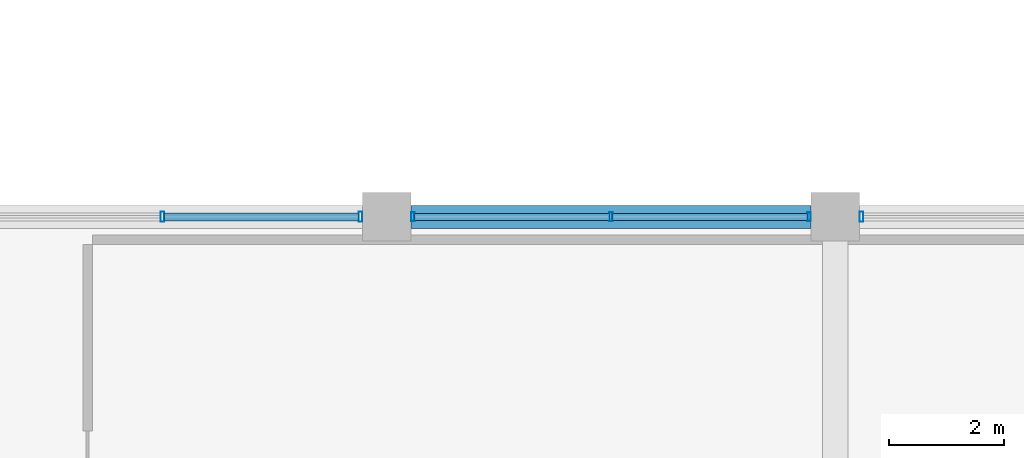
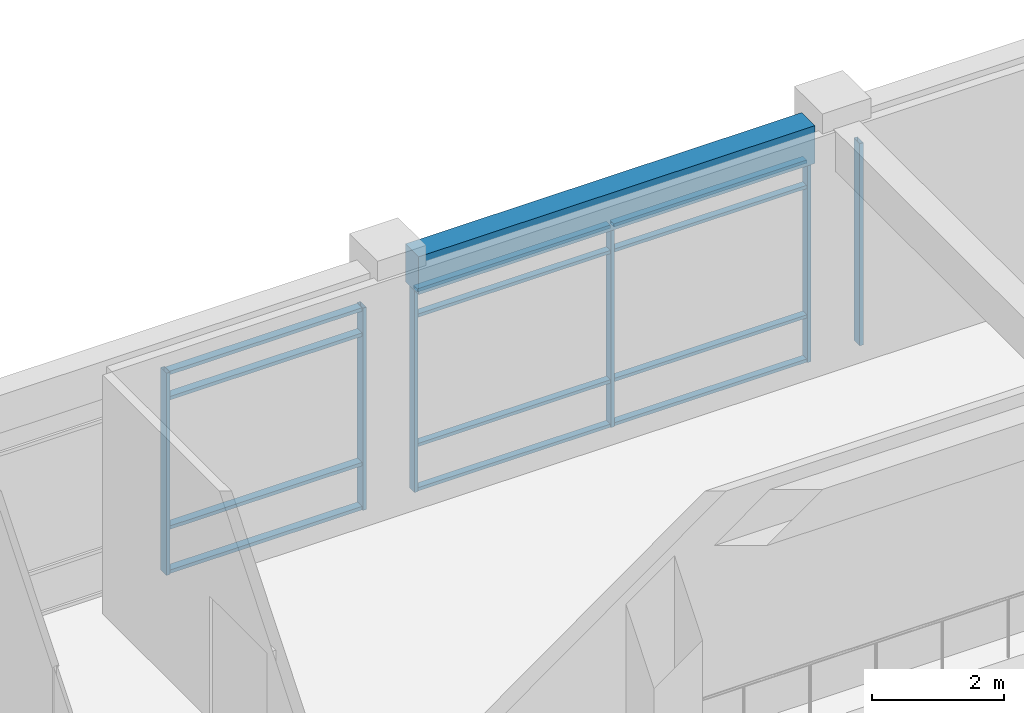
# One storey, part 15 of 79: 18 members, 1 beam, 3 elements without a shape of their own.
"""IFC4 building model written with IfcOpenShell, lengths in metres."""

from ifc_helpers import new_model, si_unit, direction, frame, origin, origin_2d, place, context, subcontext, project, spatial, rectangle, hollow_rectangle, extrude, material, material_profile, profile_set, type_object, element, aggregate, save


model = new_model("IFC4")

# Units and contexts
model_context = context("Model", 3, precision=1e-05, world=origin(), true_north=direction((0.0, 1.0)))
body_context = subcontext(model_context, "Body", "Model", "MODEL_VIEW")
ifc_project = project(units=[si_unit("LENGTHUNIT", "METRE"), si_unit("AREAUNIT", "SQUARE_METRE"), si_unit("VOLUMEUNIT", "CUBIC_METRE"), si_unit("PLANEANGLEUNIT", "RADIAN"), si_unit("MASSUNIT", "GRAM", prefix="KILO"), si_unit("THERMODYNAMICTEMPERATUREUNIT", "KELVIN"), si_unit("POWERUNIT", "WATT")], contexts=[model_context])

# Site, building, storey
site_placement = place(None, origin())
site = spatial("IfcSite", under=ifc_project, at=site_placement, CompositionType="ELEMENT")
building_placement = place(site_placement, origin())
building = spatial("IfcBuilding", under=site, at=building_placement, Name="Srebrne Nadtorze General Hospital", CompositionType="ELEMENT")
storey_placement = place(building_placement, frame((0.0, 0.0, 4.800048828125)))
storey = spatial("IfcBuildingStorey", under=building, at=storey_placement, Name="L01", CompositionType="ELEMENT", Elevation=4.800048828125)

# Curtain wall, members
ifc_material_1 = material(Name="Anodised Aluminium", Category="aluminium")
curtain_wall_type = type_object("IfcCurtainWallType", Name="Unitised curtain wall 6950x3750", PredefinedType="NOTDEFINED", material=ifc_material_1)
curtain_wall_1_placement = place(storey_placement, origin())
curtain_wall_1 = element("IfcCurtainWall", 1, at=curtain_wall_1_placement, inside=storey, type_object=curtain_wall_type, Name="Curtain wall CW-044", PredefinedType="NOTDEFINED")
ifc_material_2 = material(Name="Anodised Aluminium", Category="aluminium")
ifc_material_profile_1 = material_profile(ifc_material_2, hollow_rectangle(XDim=0.06005859375, YDim=0.14990234375, WallThickness=0.00390625, at=origin_2d()), Name="AL-MUL-60x150")
ifc_profile_set_1 = profile_set([ifc_material_profile_1], Name="Anodised Aluminium")
member_type_1 = type_object("IfcMemberType", Name="Curtain mullion 60x150", PredefinedType="MULLION", material=ifc_profile_set_1)
member_1_placement = place(storey_placement, frame((70.655029296875, 25.199951171875, 0.0), z_axis=(0.0, 0.0, 1.0), x_axis=(1.0, 0.0, 0.0)))
member_1 = element("IfcMember", 2, at=member_1_placement, type_object=member_type_1, Name="CW-044 mullion 1", PredefinedType="MULLION", context=body_context, shape_type="SweptSolid", body=[
    extrude(hollow_rectangle(XDim=0.06005859375, YDim=0.14990234375, WallThickness=0.00390625, at=origin_2d()), origin(), (0.0, 0.0, 1.0), 3.75),
])
member_2_placement = place(storey_placement, frame((74.10009765625, 25.199951171875, 0.0), z_axis=(0.0, 0.0, 1.0), x_axis=(1.0, 0.0, 0.0)))
member_2 = element("IfcMember", 3, at=member_2_placement, type_object=member_type_1, Name="CW-044 mullion 2", PredefinedType="MULLION", context=body_context, shape_type="SweptSolid", body=[
    extrude(hollow_rectangle(XDim=0.06005859375, YDim=0.14990234375, WallThickness=0.00390625, at=origin_2d()), origin(), (0.0, 0.0, 1.0), 3.75),
])
member_3_placement = place(storey_placement, frame((77.544921875, 25.199951171875, 0.0), z_axis=(0.0, 0.0, 1.0), x_axis=(1.0, 0.0, 0.0)))
member_3 = element("IfcMember", 4, at=member_3_placement, type_object=member_type_1, Name="CW-044 mullion 3", PredefinedType="MULLION", context=body_context, shape_type="SweptSolid", body=[
    extrude(hollow_rectangle(XDim=0.06005859375, YDim=0.14990234375, WallThickness=0.00390625, at=origin_2d()), origin(), (0.0, 0.0, 1.0), 3.75),
])

curtain_wall_2_placement = place(storey_placement, origin())
curtain_wall_2 = element("IfcCurtainWall", 5, at=curtain_wall_2_placement, inside=storey, type_object=curtain_wall_type, Name="Curtain wall CW-043", PredefinedType="NOTDEFINED")
ifc_material_3 = material(Name="Anodised Aluminium", Category="aluminium")
ifc_material_profile_2 = material_profile(ifc_material_3, hollow_rectangle(XDim=0.06494140625, YDim=0.179931640625, WallThickness=0.00390625, at=origin_2d()), Name="AL-MUL-65x180")
ifc_profile_set_2 = profile_set([ifc_material_profile_2], Name="Anodised Aluminium")
member_type_2 = type_object("IfcMemberType", Name="Curtain mullion 65x180", PredefinedType="MULLION", material=ifc_profile_set_2)
member_4_placement = place(storey_placement, frame((66.300048828125, 25.199951171875, 0.0), z_axis=(0.0, 0.0, 1.0), x_axis=(1.0, 0.0, 0.0)))
member_4 = element("IfcMember", 6, at=member_4_placement, type_object=member_type_2, Name="CW-043 mullion 2", PredefinedType="MULLION", context=body_context, shape_type="SweptSolid", body=[
    extrude(hollow_rectangle(XDim=0.06494140625, YDim=0.179931640625, WallThickness=0.00390625, at=origin_2d()), origin(), (0.0, 0.0, 1.0), 3.75),
])
member_5_placement = place(storey_placement, frame((69.742431640625, 25.199951171875, 0.0), z_axis=(0.0, 0.0, 1.0), x_axis=(1.0, 0.0, 0.0)))
member_5 = element("IfcMember", 7, at=member_5_placement, type_object=member_type_2, Name="CW-043 mullion 3", PredefinedType="MULLION", context=body_context, shape_type="SweptSolid", body=[
    extrude(hollow_rectangle(XDim=0.06494140625, YDim=0.179931640625, WallThickness=0.00390625, at=origin_2d()), origin(), (0.0, 0.0, 1.0), 3.75),
])

# Curtain wall, member
curtain_wall_3_placement = place(storey_placement, origin())
curtain_wall_3 = element("IfcCurtainWall", 8, at=curtain_wall_3_placement, inside=storey, type_object=curtain_wall_type, Name="Curtain wall CW-045", PredefinedType="NOTDEFINED")
member_6_placement = place(storey_placement, frame((78.45751953125, 25.199951171875, 0.0), z_axis=(0.0, 0.0, 1.0), x_axis=(1.0, 0.0, 0.0)))
member_6 = element("IfcMember", 9, at=member_6_placement, type_object=member_type_2, Name="CW-045 mullion 1", PredefinedType="MULLION", context=body_context, shape_type="SweptSolid", body=[
    extrude(hollow_rectangle(XDim=0.06494140625, YDim=0.179931640625, WallThickness=0.00390625, at=origin_2d()), origin(), (0.0, 0.0, 1.0), 3.75),
])
aggregate(curtain_wall_3, [member_6])

# Member
ifc_material_4 = material(Name="Anodised Aluminium", Category="aluminium")
ifc_material_profile_3 = material_profile(ifc_material_4, hollow_rectangle(XDim=0.06005859375, YDim=0.1201171875, WallThickness=0.00390625, at=origin_2d()), Name="AL-TRN-60x120")
ifc_profile_set_3 = profile_set([ifc_material_profile_3], Name="Anodised Aluminium")
member_type_3 = type_object("IfcMemberType", Name="Curtain transom 60x120", PredefinedType="USERDEFINED", material=ifc_profile_set_3)
member_7_placement = place(storey_placement, frame((70.68505859375, 25.199951171875, 0.030029296875), z_axis=(1.0, 0.0, 0.0), x_axis=(0.0, 0.0, 1.0)))
member_7 = element("IfcMember", 10, at=member_7_placement, type_object=member_type_3, Name="CW-044 transom 1.1", ObjectType="TRANSOM", PredefinedType="USERDEFINED", context=body_context, shape_type="SweptSolid", body=[
    extrude(hollow_rectangle(XDim=0.06005859375, YDim=0.1201171875, WallThickness=0.00390625, at=origin_2d()), origin(), (0.0, 0.0, 1.0), 3.385009765625),
])

member_8_placement = place(storey_placement, frame((70.68505859375, 25.199951171875, 0.849853515625), z_axis=(1.0, 0.0, 0.0), x_axis=(0.0, 0.0, 1.0)))
member_8 = element("IfcMember", 11, at=member_8_placement, type_object=member_type_3, Name="CW-044 transom 1.2", ObjectType="TRANSOM", PredefinedType="USERDEFINED", context=body_context, shape_type="SweptSolid", body=[
    extrude(hollow_rectangle(XDim=0.06005859375, YDim=0.1201171875, WallThickness=0.00390625, at=origin_2d()), origin(), (0.0, 0.0, 1.0), 3.385009765625),
])

member_9_placement = place(storey_placement, frame((70.68505859375, 25.199951171875, 3.25), z_axis=(1.0, 0.0, 0.0), x_axis=(0.0, 0.0, 1.0)))
member_9 = element("IfcMember", 12, at=member_9_placement, type_object=member_type_3, Name="CW-044 transom 1.3", ObjectType="TRANSOM", PredefinedType="USERDEFINED", context=body_context, shape_type="SweptSolid", body=[
    extrude(hollow_rectangle(XDim=0.06005859375, YDim=0.1201171875, WallThickness=0.00390625, at=origin_2d()), origin(), (0.0, 0.0, 1.0), 3.385009765625),
])

member_10_placement = place(storey_placement, frame((70.68505859375, 25.199951171875, 3.719970703125), z_axis=(1.0, 0.0, 0.0), x_axis=(0.0, 0.0, 1.0)))
member_10 = element("IfcMember", 13, at=member_10_placement, type_object=member_type_3, Name="CW-044 transom 1.4", ObjectType="TRANSOM", PredefinedType="USERDEFINED", context=body_context, shape_type="SweptSolid", body=[
    extrude(hollow_rectangle(XDim=0.06005859375, YDim=0.1201171875, WallThickness=0.00390625, at=origin_2d()), origin(), (0.0, 0.0, 1.0), 3.385009765625),
])

member_11_placement = place(storey_placement, frame((74.1298828125, 25.199951171875, 0.030029296875), z_axis=(1.0, 0.0, 0.0), x_axis=(0.0, 0.0, 1.0)))
member_11 = element("IfcMember", 14, at=member_11_placement, type_object=member_type_3, Name="CW-044 transom 2.1", ObjectType="TRANSOM", PredefinedType="USERDEFINED", context=body_context, shape_type="SweptSolid", body=[
    extrude(hollow_rectangle(XDim=0.06005859375, YDim=0.1201171875, WallThickness=0.00390625, at=origin_2d()), origin(), (0.0, 0.0, 1.0), 3.385009765625),
])

member_12_placement = place(storey_placement, frame((74.1298828125, 25.199951171875, 0.849853515625), z_axis=(1.0, 0.0, 0.0), x_axis=(0.0, 0.0, 1.0)))
member_12 = element("IfcMember", 15, at=member_12_placement, type_object=member_type_3, Name="CW-044 transom 2.2", ObjectType="TRANSOM", PredefinedType="USERDEFINED", context=body_context, shape_type="SweptSolid", body=[
    extrude(hollow_rectangle(XDim=0.06005859375, YDim=0.1201171875, WallThickness=0.00390625, at=origin_2d()), origin(), (0.0, 0.0, 1.0), 3.385009765625),
])

member_13_placement = place(storey_placement, frame((74.1298828125, 25.199951171875, 3.25), z_axis=(1.0, 0.0, 0.0), x_axis=(0.0, 0.0, 1.0)))
member_13 = element("IfcMember", 16, at=member_13_placement, type_object=member_type_3, Name="CW-044 transom 2.3", ObjectType="TRANSOM", PredefinedType="USERDEFINED", context=body_context, shape_type="SweptSolid", body=[
    extrude(hollow_rectangle(XDim=0.06005859375, YDim=0.1201171875, WallThickness=0.00390625, at=origin_2d()), origin(), (0.0, 0.0, 1.0), 3.385009765625),
])

member_14_placement = place(storey_placement, frame((74.1298828125, 25.199951171875, 3.719970703125), z_axis=(1.0, 0.0, 0.0), x_axis=(0.0, 0.0, 1.0)))
member_14 = element("IfcMember", 17, at=member_14_placement, type_object=member_type_3, Name="CW-044 transom 2.4", ObjectType="TRANSOM", PredefinedType="USERDEFINED", context=body_context, shape_type="SweptSolid", body=[
    extrude(hollow_rectangle(XDim=0.06005859375, YDim=0.1201171875, WallThickness=0.00390625, at=origin_2d()), origin(), (0.0, 0.0, 1.0), 3.385009765625),
])

aggregate(curtain_wall_1, [member_1, member_2, member_3, member_7, member_8, member_9, member_10, member_11, member_12, member_13, member_14])

ifc_material_5 = material(Name="Anodised Aluminium", Category="aluminium")
ifc_material_profile_4 = material_profile(ifc_material_5, hollow_rectangle(XDim=0.06494140625, YDim=0.139892578125, WallThickness=0.00390625, at=origin_2d()), Name="AL-TRN-65x140")
ifc_profile_set_4 = profile_set([ifc_material_profile_4], Name="Anodised Aluminium")
member_type_4 = type_object("IfcMemberType", Name="Curtain transom 65x140", PredefinedType="USERDEFINED", material=ifc_profile_set_4)
member_15_placement = place(storey_placement, frame((66.33251953125, 25.199951171875, 0.032470703125), z_axis=(1.0, 0.0, 0.0), x_axis=(0.0, 0.0, 1.0)))
member_15 = element("IfcMember", 18, at=member_15_placement, type_object=member_type_4, Name="CW-043 transom 2.1", ObjectType="TRANSOM", PredefinedType="USERDEFINED", context=body_context, shape_type="SweptSolid", body=[
    extrude(hollow_rectangle(XDim=0.06494140625, YDim=0.139892578125, WallThickness=0.00390625, at=origin_2d()), origin(), (0.0, 0.0, 1.0), 3.37744140625),
])

member_16_placement = place(storey_placement, frame((66.33251953125, 25.199951171875, 0.849853515625), z_axis=(1.0, 0.0, 0.0), x_axis=(0.0, 0.0, 1.0)))
member_16 = element("IfcMember", 19, at=member_16_placement, type_object=member_type_4, Name="CW-043 transom 2.2", ObjectType="TRANSOM", PredefinedType="USERDEFINED", context=body_context, shape_type="SweptSolid", body=[
    extrude(hollow_rectangle(XDim=0.06494140625, YDim=0.139892578125, WallThickness=0.00390625, at=origin_2d()), origin(), (0.0, 0.0, 1.0), 3.37744140625),
])

member_17_placement = place(storey_placement, frame((66.33251953125, 25.199951171875, 3.25), z_axis=(1.0, 0.0, 0.0), x_axis=(0.0, 0.0, 1.0)))
member_17 = element("IfcMember", 20, at=member_17_placement, type_object=member_type_4, Name="CW-043 transom 2.3", ObjectType="TRANSOM", PredefinedType="USERDEFINED", context=body_context, shape_type="SweptSolid", body=[
    extrude(hollow_rectangle(XDim=0.06494140625, YDim=0.139892578125, WallThickness=0.00390625, at=origin_2d()), origin(), (0.0, 0.0, 1.0), 3.37744140625),
])

member_18_placement = place(storey_placement, frame((66.33251953125, 25.199951171875, 3.717529296875), z_axis=(1.0, 0.0, 0.0), x_axis=(0.0, 0.0, 1.0)))
member_18 = element("IfcMember", 21, at=member_18_placement, type_object=member_type_4, Name="CW-043 transom 2.4", ObjectType="TRANSOM", PredefinedType="USERDEFINED", context=body_context, shape_type="SweptSolid", body=[
    extrude(hollow_rectangle(XDim=0.06494140625, YDim=0.139892578125, WallThickness=0.00390625, at=origin_2d()), origin(), (0.0, 0.0, 1.0), 3.37744140625),
])

aggregate(curtain_wall_2, [member_4, member_5, member_15, member_16, member_17, member_18])

# Beam
ifc_material_6 = material(Name="Concrete C40/50", Category="concrete")
ifc_material_profile_5 = material_profile(ifc_material_6, rectangle(XDim=0.39990234375, YDim=0.699951171875, at=origin_2d()), Name="RC-BM-400x700")
ifc_profile_set_5 = profile_set([ifc_material_profile_5], Name="Concrete C40/50")
beam_type = type_object("IfcBeamType", Name="Edge beam RC 400x700", PredefinedType="BEAM", material=ifc_profile_set_5)
beam_placement = place(storey_placement, frame((70.625, 25.199951171875, 4.099853515625), z_axis=(1.0, 0.0, 0.0), x_axis=(0.0, 1.0, 0.0)))
element("IfcBeam", 22, at=beam_placement, inside=storey, type_object=beam_type, Name="Beam BM-L01-X-0390", PredefinedType="BEAM", context=body_context, shape_type="SweptSolid", body=[
    extrude(rectangle(XDim=0.39990234375, YDim=0.699951171875, at=origin_2d()), origin(), (0.0, 0.0, 1.0), 6.949951171875),
])

save(model, "model.ifc")
